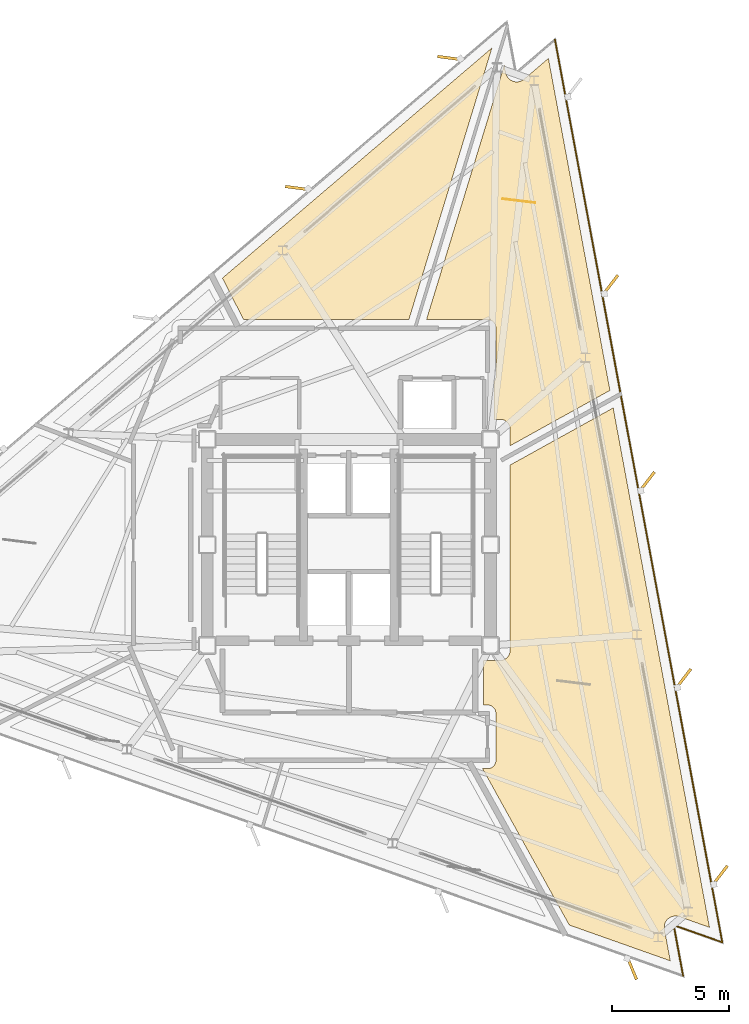
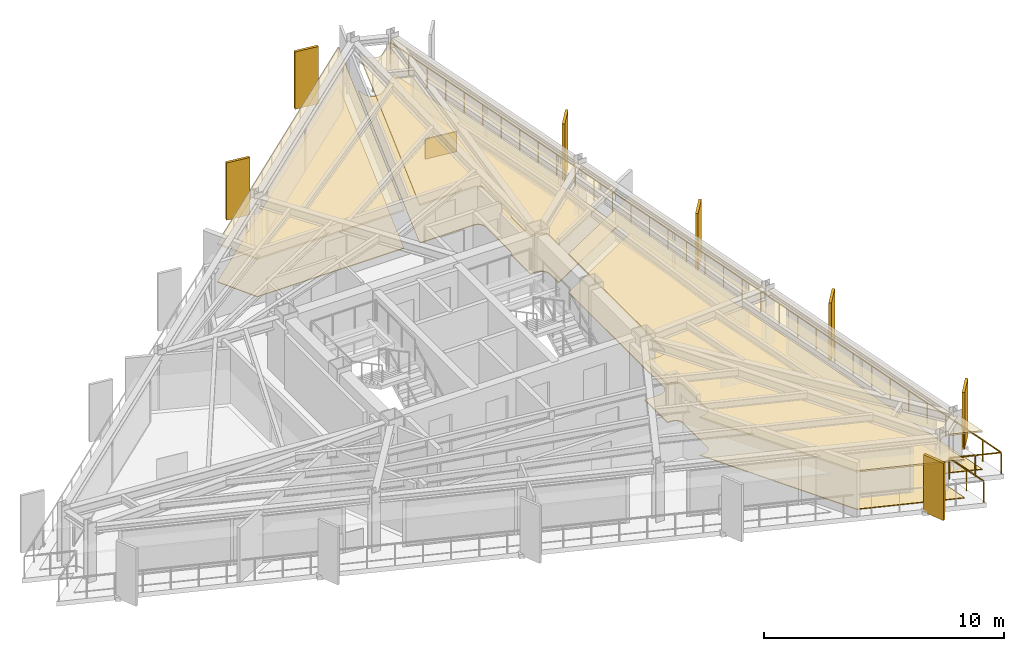
# One storey, part 13 of 14: 7 coverings, 7 shading devices, 1 railing.
"""IFC4 building model written with IfcOpenShell, lengths in metres."""

from ifc_helpers import new_model, si_unit, direction, frame, origin, origin_2d, place, context, subcontext, project, spatial, polyline, rectangle, outline, extrude, material, layer, layer_set, type_object, element, save


model = new_model("IFC4")

# Units and contexts
model_context = context("Model", 3, precision=1e-05, world=origin(), true_north=direction((0.0, 1.0)))
body_context = subcontext(model_context, "Body", "Model", "MODEL_VIEW")
ifc_project = project(units=[si_unit("LENGTHUNIT", "METRE"), si_unit("AREAUNIT", "SQUARE_METRE"), si_unit("VOLUMEUNIT", "CUBIC_METRE"), si_unit("PLANEANGLEUNIT", "RADIAN"), si_unit("MASSUNIT", "GRAM", prefix="KILO")], contexts=[model_context])

# Site, building, storey
site_placement = place(None, origin())
site = spatial("IfcSite", under=ifc_project, at=site_placement, CompositionType="ELEMENT")
building_placement = place(site_placement, origin())
building = spatial("IfcBuilding", under=site, at=building_placement, Name="Rocaltana Carrier Exchange", CompositionType="ELEMENT")
storey_placement = place(building_placement, frame((0.0, 0.0, 178.39990234375)))
storey = spatial("IfcBuildingStorey", under=building, at=storey_placement, Name="L56", CompositionType="ELEMENT", Elevation=178.39990234375)

# Coverings
ifc_material_1 = material(Name="Honed Bogota Sandstone Tile", Category="masonry")
ifc_layer_1 = layer(ifc_material_1, 0.0400390625)
ifc_layer_set_1 = layer_set([ifc_layer_1], Name="Honed Bogota Sandstone Tile")
covering_type_1 = type_object("IfcCoveringType", Name="Honed Stone Lobby Flooring 40", PredefinedType="FLOORING", material=ifc_layer_set_1)
covering_1_placement = place(storey_placement, origin())
element("IfcCovering", 1, at=covering_1_placement, inside=storey, type_object=covering_type_1, Name="L56 Cloud Architecture Office Finish Floor", PredefinedType="FLOORING", context=body_context, shape_type="SweptSolid", body=[
    extrude(outline(polyline([(5.739990234375, -6.840087890625), (5.739990234375, -4.93994140625), (6.449951171875, -4.93994140625), (6.463623046875, -4.939697265625), (6.4794921875, -4.93896484375), (6.5068359375, -4.936279296875), (6.522216796875, -4.933837890625), (6.54931640625, -4.928466796875), (6.564453125, -4.9248046875), (6.5908203125, -4.916748046875), (6.605712890625, -4.91162109375), (6.630859375, -4.90087890625), (6.64501953125, -4.894287109375), (6.66943359375, -4.88134765625), (6.682861328125, -4.873291015625), (6.705810546875, -4.85791015625), (6.71826171875, -4.8486328125), (6.739501953125, -4.8310546875), (6.751220703125, -4.820556640625), (6.7705078125, -4.80126953125), (6.781005859375, -4.78955078125), (6.798583984375, -4.768310546875), (6.807861328125, -4.755615234375), (6.8232421875, -4.73291015625), (6.831298828125, -4.719482421875), (6.84423828125, -4.695068359375), (6.850830078125, -4.680908203125), (6.861572265625, -4.655517578125), (6.86669921875, -4.640869140625), (6.874755859375, -4.614501953125), (6.87841796875, -4.59912109375), (6.8837890625, -4.572265625), (6.88623046875, -4.556884765625), (6.888916015625, -4.529296875), (6.8896484375, -4.513671875), (6.889892578125, -4.5), (6.889892578125, 3.40771484375), (11.287841796875, 5.84521484375), (15.398681640625, -16.3359375), (14.108642578125, -15.879150390625), (14.095458984375, -15.874755859375), (14.076416015625, -15.869140625), (14.04931640625, -15.8623046875), (14.02978515625, -15.858642578125), (14.001953125, -15.854736328125), (13.982177734375, -15.852783203125), (13.954345703125, -15.851806640625), (13.934326171875, -15.85205078125), (13.906494140625, -15.853515625), (13.88671875, -15.855712890625), (13.859130859375, -15.860107421875), (13.839599609375, -15.8642578125), (13.8125, -15.871337890625), (13.793701171875, -15.87744140625), (13.767333984375, -15.88720703125), (13.7490234375, -15.89501953125), (13.72412109375, -15.907470703125), (13.706787109375, -15.9169921875), (13.68310546875, -15.931884765625), (13.66650390625, -15.943359375), (13.64453125, -15.960205078125), (13.62939453125, -15.973388671875), (13.60888671875, -15.992431640625), (13.59521484375, -16.0068359375), (13.576904296875, -16.02783203125), (13.564697265625, -16.043701171875), (13.548583984375, -16.06640625), (13.537841796875, -16.083251953125), (13.524169921875, -16.107666015625), (13.51513671875, -16.12548828125), (13.50390625, -16.15087890625), (13.496826171875, -16.16943359375), (13.48828125, -16.196044921875), (13.48291015625, -16.21533203125), (13.47705078125, -16.24267578125), (13.4736328125, -16.26220703125), (13.470458984375, -16.2900390625), (13.468994140625, -16.309814453125), (13.46875, -16.337890625), (13.469482421875, -16.357666015625), (13.4716796875, -16.385498046875), (13.474365234375, -16.4052734375), (13.4765625, -16.419189453125), (13.725830078125, -17.7646484375), (9.412109375, -16.237060546875), (5.710693359375, -9.56005859375), (5.919921875, -9.56005859375), (5.93359375, -9.559814453125), (5.941650390625, -9.559326171875), (5.968994140625, -9.556640625), (5.976806640625, -9.555419921875), (6.003662109375, -9.550048828125), (6.01123046875, -9.548095703125), (6.03759765625, -9.540283203125), (6.044921875, -9.53759765625), (6.0703125, -9.527099609375), (6.077392578125, -9.523681640625), (6.101806640625, -9.5107421875), (6.1083984375, -9.506591796875), (6.131103515625, -9.491455078125), (6.137451171875, -9.48681640625), (6.15869140625, -9.46923828125), (6.16455078125, -9.464111328125), (6.18408203125, -9.444580078125), (6.189208984375, -9.438720703125), (6.206787109375, -9.41748046875), (6.21142578125, -9.4111328125), (6.226806640625, -9.388427734375), (6.230712890625, -9.381591796875), (6.24365234375, -9.357421875), (6.2470703125, -9.350341796875), (6.257568359375, -9.324951171875), (6.26025390625, -9.317626953125), (6.268310546875, -9.291259765625), (6.27001953125, -9.28369140625), (6.275390625, -9.256591796875), (6.276611328125, -9.248779296875), (6.279296875, -9.2216796875), (6.27978515625, -9.213623046875), (6.280029296875, -9.199951171875), (6.280029296875, -7.199951171875), (6.27978515625, -7.186279296875), (6.279296875, -7.178466796875), (6.276611328125, -7.151123046875), (6.275390625, -7.143310546875), (6.27001953125, -7.116455078125), (6.268310546875, -7.108642578125), (6.26025390625, -7.08251953125), (6.257568359375, -7.0751953125), (6.2470703125, -7.0498046875), (6.24365234375, -7.04248046875), (6.230712890625, -7.018310546875), (6.226806640625, -7.01171875), (6.21142578125, -6.98876953125), (6.206787109375, -6.982421875), (6.189208984375, -6.961181640625), (6.18408203125, -6.955322265625), (6.16455078125, -6.93603515625), (6.15869140625, -6.9306640625), (6.137451171875, -6.913330078125), (6.131103515625, -6.90869140625), (6.1083984375, -6.893310546875), (6.101806640625, -6.889404296875), (6.077392578125, -6.876220703125), (6.0703125, -6.873046875), (6.044921875, -6.862548828125), (6.03759765625, -6.85986328125), (6.01123046875, -6.851806640625), (6.003662109375, -6.849853515625), (5.976806640625, -6.844482421875), (5.968994140625, -6.843505859375), (5.941650390625, -6.8408203125), (5.93359375, -6.84033203125), (5.919921875, -6.840087890625), (5.739990234375, -6.840087890625)])), origin(), (0.0, 0.0, 1.0), 0.0400390625),
])
covering_2_placement = place(storey_placement, origin())
element("IfcCovering", 2, at=covering_2_placement, inside=storey, type_object=covering_type_1, Name="L56 Peering Conference Room Finish Floor", PredefinedType="FLOORING", context=body_context, shape_type="SweptSolid", body=[
    extrude(outline(polyline([(6.18994140625, 6.962158203125), (6.206787109375, 6.982421875), (6.21142578125, 6.98876953125), (6.226806640625, 7.01171875), (6.230712890625, 7.018310546875), (6.24365234375, 7.04248046875), (6.2470703125, 7.0498046875), (6.257568359375, 7.0751953125), (6.26025390625, 7.08251953125), (6.268310546875, 7.108642578125), (6.27001953125, 7.116455078125), (6.275390625, 7.143310546875), (6.276611328125, 7.151123046875), (6.279296875, 7.178466796875), (6.27978515625, 7.186279296875), (6.280029296875, 7.199951171875), (6.280029296875, 9.25), (6.27978515625, 9.263671875), (6.279296875, 9.271484375), (6.276611328125, 9.298828125), (6.275390625, 9.306640625), (6.27001953125, 9.33349609375), (6.268310546875, 9.34130859375), (6.26025390625, 9.36767578125), (6.257568359375, 9.375), (6.2470703125, 9.400390625), (6.24365234375, 9.407470703125), (6.230712890625, 9.431640625), (6.226806640625, 9.4384765625), (6.21142578125, 9.461181640625), (6.206787109375, 9.467529296875), (6.189208984375, 9.48876953125), (6.18408203125, 9.49462890625), (6.16455078125, 9.513916015625), (6.15869140625, 9.519287109375), (6.137451171875, 9.53662109375), (6.131103515625, 9.54150390625), (6.1083984375, 9.556640625), (6.101806640625, 9.560791015625), (6.077392578125, 9.57373046875), (6.0703125, 9.576904296875), (6.044921875, 9.58740234375), (6.03759765625, 9.590087890625), (6.01123046875, 9.59814453125), (6.003662109375, 9.60009765625), (5.976806640625, 9.60546875), (5.968994140625, 9.606689453125), (5.941650390625, 9.609375), (5.93359375, 9.609619140625), (5.919921875, 9.610107421875), (3.314453125, 9.610107421875), (6.6376953125, 20.479736328125), (6.697265625, 20.157958984375), (6.7001953125, 20.144287109375), (6.704833984375, 20.125), (6.712646484375, 20.09814453125), (6.718994140625, 20.079345703125), (6.7294921875, 20.053466796875), (6.73779296875, 20.035400390625), (6.7509765625, 20.010498046875), (6.760986328125, 19.993408203125), (6.7763671875, 19.97021484375), (6.7880859375, 19.9541015625), (6.8056640625, 19.932373046875), (6.819091796875, 19.91748046875), (6.838623046875, 19.897705078125), (6.853515625, 19.88427734375), (6.875, 19.866455078125), (6.89111328125, 19.8544921875), (6.914306640625, 19.839111328125), (6.931396484375, 19.828857421875), (6.955810546875, 19.815673828125), (6.973876953125, 19.80712890625), (6.999755859375, 19.796630859375), (7.0185546875, 19.789794921875), (7.04541015625, 19.781982421875), (7.064697265625, 19.777099609375), (7.092041015625, 19.77197265625), (7.11181640625, 19.76904296875), (7.1396484375, 19.7666015625), (7.159423828125, 19.765625), (7.1875, 19.76611328125), (7.207275390625, 19.76708984375), (7.235107421875, 19.770263671875), (7.2548828125, 19.773193359375), (7.281982421875, 19.779052734375), (7.301513671875, 19.7841796875), (7.327880859375, 19.79248046875), (7.3466796875, 19.799560546875), (7.372314453125, 19.810791015625), (7.39013671875, 19.819580078125), (7.41455078125, 19.8330078125), (7.431396484375, 19.843505859375), (7.454345703125, 19.859619140625), (7.47021484375, 19.87158203125), (7.48095703125, 19.880615234375), (8.521728515625, 20.769287109375), (11.1494140625, 6.591796875), (6.889892578125, 4.230712890625), (6.889892578125, 4.919921875), (6.8896484375, 4.93359375), (6.888916015625, 4.949462890625), (6.88623046875, 4.976806640625), (6.8837890625, 4.9921875), (6.87841796875, 5.019287109375), (6.874755859375, 5.034423828125), (6.86669921875, 5.060791015625), (6.861572265625, 5.07568359375), (6.850830078125, 5.100830078125), (6.84423828125, 5.114990234375), (6.831298828125, 5.139404296875), (6.8232421875, 5.15283203125), (6.807861328125, 5.17578125), (6.798583984375, 5.188232421875), (6.781005859375, 5.20947265625), (6.7705078125, 5.22119140625), (6.751220703125, 5.240478515625), (6.739501953125, 5.251220703125), (6.71826171875, 5.2685546875), (6.705810546875, 5.27783203125), (6.682861328125, 5.293212890625), (6.66943359375, 5.30126953125), (6.64501953125, 5.314208984375), (6.630859375, 5.32080078125), (6.605712890625, 5.33154296875), (6.5908203125, 5.336669921875), (6.564453125, 5.3447265625), (6.54931640625, 5.348388671875), (6.522216796875, 5.35400390625), (6.5068359375, 5.356201171875), (6.4794921875, 5.35888671875), (6.463623046875, 5.359619140625), (6.449951171875, 5.360107421875), (6.18994140625, 5.360107421875), (6.18994140625, 6.962158203125)])), origin(), (0.0, 0.0, 1.0), 0.0400390625),
])
covering_3_placement = place(storey_placement, origin())
element("IfcCovering", 3, at=covering_3_placement, inside=storey, type_object=covering_type_1, Name="L56 Optical Switching Laboratory Finish Floor", PredefinedType="FLOORING", context=body_context, shape_type="SweptSolid", body=[
    extrude(outline(polyline([(6.109619140625, 21.214599609375), (2.5615234375, 9.610107421875), (-4.492431640625, 9.610107421875), (-5.397705078125, 11.38671875), (6.109619140625, 21.214599609375)])), origin(), (0.0, 0.0, 1.0), 0.0400390625),
])
ifc_material_2 = material(Name="Anodised Aluminium 6063-T6", Category="aluminium")
ifc_layer_2 = layer(ifc_material_2, 0.0849609375)
ifc_layer_set_2 = layer_set([ifc_layer_2], Name="Anodised Aluminium 6063-T6")
covering_type_2 = type_object("IfcCoveringType", Name="Linear Baffle Acoustic Ceiling 85", PredefinedType="CEILING", material=ifc_layer_set_2)
covering_4_placement = place(storey_placement, frame((0.0, 0.0, 1.903076171875)))
element("IfcCovering", 4, at=covering_4_placement, inside=storey, type_object=covering_type_2, Name="L56 Cloud Architecture Office Acoustic Ceiling", PredefinedType="CEILING", context=body_context, shape_type="SweptSolid", body=[
    extrude(outline(polyline([(5.739990234375, -6.840087890625), (5.739990234375, -4.93994140625), (6.449951171875, -4.93994140625), (6.463623046875, -4.939697265625), (6.4794921875, -4.93896484375), (6.5068359375, -4.936279296875), (6.522216796875, -4.933837890625), (6.54931640625, -4.928466796875), (6.564453125, -4.9248046875), (6.5908203125, -4.916748046875), (6.605712890625, -4.91162109375), (6.630859375, -4.90087890625), (6.64501953125, -4.894287109375), (6.66943359375, -4.88134765625), (6.682861328125, -4.873291015625), (6.705810546875, -4.85791015625), (6.71826171875, -4.8486328125), (6.739501953125, -4.8310546875), (6.751220703125, -4.820556640625), (6.7705078125, -4.80126953125), (6.781005859375, -4.78955078125), (6.798583984375, -4.768310546875), (6.807861328125, -4.755615234375), (6.8232421875, -4.73291015625), (6.831298828125, -4.719482421875), (6.84423828125, -4.695068359375), (6.850830078125, -4.680908203125), (6.861572265625, -4.655517578125), (6.86669921875, -4.640869140625), (6.874755859375, -4.614501953125), (6.87841796875, -4.59912109375), (6.8837890625, -4.572265625), (6.88623046875, -4.556884765625), (6.888916015625, -4.529296875), (6.8896484375, -4.513671875), (6.889892578125, -4.5), (6.889892578125, 3.40771484375), (11.287841796875, 5.84521484375), (15.398681640625, -16.3359375), (14.108642578125, -15.879150390625), (14.095458984375, -15.874755859375), (14.076416015625, -15.869140625), (14.04931640625, -15.8623046875), (14.02978515625, -15.858642578125), (14.001953125, -15.854736328125), (13.982177734375, -15.852783203125), (13.954345703125, -15.851806640625), (13.934326171875, -15.85205078125), (13.906494140625, -15.853515625), (13.88671875, -15.855712890625), (13.859130859375, -15.860107421875), (13.839599609375, -15.8642578125), (13.8125, -15.871337890625), (13.793701171875, -15.87744140625), (13.767333984375, -15.88720703125), (13.7490234375, -15.89501953125), (13.72412109375, -15.907470703125), (13.706787109375, -15.9169921875), (13.68310546875, -15.931884765625), (13.66650390625, -15.943359375), (13.64453125, -15.960205078125), (13.62939453125, -15.973388671875), (13.60888671875, -15.992431640625), (13.59521484375, -16.0068359375), (13.576904296875, -16.02783203125), (13.564697265625, -16.043701171875), (13.548583984375, -16.06640625), (13.537841796875, -16.083251953125), (13.524169921875, -16.107666015625), (13.51513671875, -16.12548828125), (13.50390625, -16.15087890625), (13.496826171875, -16.16943359375), (13.48828125, -16.196044921875), (13.48291015625, -16.21533203125), (13.47705078125, -16.24267578125), (13.4736328125, -16.26220703125), (13.470458984375, -16.2900390625), (13.468994140625, -16.309814453125), (13.46875, -16.337890625), (13.469482421875, -16.357666015625), (13.4716796875, -16.385498046875), (13.474365234375, -16.4052734375), (13.4765625, -16.419189453125), (13.725830078125, -17.7646484375), (9.412109375, -16.237060546875), (5.710693359375, -9.56005859375), (5.919921875, -9.56005859375), (5.93359375, -9.559814453125), (5.941650390625, -9.559326171875), (5.968994140625, -9.556640625), (5.976806640625, -9.555419921875), (6.003662109375, -9.550048828125), (6.01123046875, -9.548095703125), (6.03759765625, -9.540283203125), (6.044921875, -9.53759765625), (6.0703125, -9.527099609375), (6.077392578125, -9.523681640625), (6.101806640625, -9.5107421875), (6.1083984375, -9.506591796875), (6.131103515625, -9.491455078125), (6.137451171875, -9.48681640625), (6.15869140625, -9.46923828125), (6.16455078125, -9.464111328125), (6.18408203125, -9.444580078125), (6.189208984375, -9.438720703125), (6.206787109375, -9.41748046875), (6.21142578125, -9.4111328125), (6.226806640625, -9.388427734375), (6.230712890625, -9.381591796875), (6.24365234375, -9.357421875), (6.2470703125, -9.350341796875), (6.257568359375, -9.324951171875), (6.26025390625, -9.317626953125), (6.268310546875, -9.291259765625), (6.27001953125, -9.28369140625), (6.275390625, -9.256591796875), (6.276611328125, -9.248779296875), (6.279296875, -9.2216796875), (6.27978515625, -9.213623046875), (6.280029296875, -9.199951171875), (6.280029296875, -7.199951171875), (6.27978515625, -7.186279296875), (6.279296875, -7.178466796875), (6.276611328125, -7.151123046875), (6.275390625, -7.143310546875), (6.27001953125, -7.116455078125), (6.268310546875, -7.108642578125), (6.26025390625, -7.08251953125), (6.257568359375, -7.0751953125), (6.2470703125, -7.0498046875), (6.24365234375, -7.04248046875), (6.230712890625, -7.018310546875), (6.226806640625, -7.01171875), (6.21142578125, -6.98876953125), (6.206787109375, -6.982421875), (6.189208984375, -6.961181640625), (6.18408203125, -6.955322265625), (6.16455078125, -6.93603515625), (6.15869140625, -6.9306640625), (6.137451171875, -6.913330078125), (6.131103515625, -6.90869140625), (6.1083984375, -6.893310546875), (6.101806640625, -6.889404296875), (6.077392578125, -6.876220703125), (6.0703125, -6.873046875), (6.044921875, -6.862548828125), (6.03759765625, -6.85986328125), (6.01123046875, -6.851806640625), (6.003662109375, -6.849853515625), (5.976806640625, -6.844482421875), (5.968994140625, -6.843505859375), (5.941650390625, -6.8408203125), (5.93359375, -6.84033203125), (5.919921875, -6.840087890625), (5.739990234375, -6.840087890625)])), origin(), (0.0, 0.0, 1.0), 0.0849609375),
])
covering_5_placement = place(storey_placement, frame((0.0, 0.0, 1.903076171875)))
element("IfcCovering", 5, at=covering_5_placement, inside=storey, type_object=covering_type_2, Name="L56 Peering Conference Room Acoustic Ceiling", PredefinedType="CEILING", context=body_context, shape_type="SweptSolid", body=[
    extrude(outline(polyline([(6.18994140625, 6.962158203125), (6.206787109375, 6.982421875), (6.21142578125, 6.98876953125), (6.226806640625, 7.01171875), (6.230712890625, 7.018310546875), (6.24365234375, 7.04248046875), (6.2470703125, 7.0498046875), (6.257568359375, 7.0751953125), (6.26025390625, 7.08251953125), (6.268310546875, 7.108642578125), (6.27001953125, 7.116455078125), (6.275390625, 7.143310546875), (6.276611328125, 7.151123046875), (6.279296875, 7.178466796875), (6.27978515625, 7.186279296875), (6.280029296875, 7.199951171875), (6.280029296875, 9.25), (6.27978515625, 9.263671875), (6.279296875, 9.271484375), (6.276611328125, 9.298828125), (6.275390625, 9.306640625), (6.27001953125, 9.33349609375), (6.268310546875, 9.34130859375), (6.26025390625, 9.36767578125), (6.257568359375, 9.375), (6.2470703125, 9.400390625), (6.24365234375, 9.407470703125), (6.230712890625, 9.431640625), (6.226806640625, 9.4384765625), (6.21142578125, 9.461181640625), (6.206787109375, 9.467529296875), (6.189208984375, 9.48876953125), (6.18408203125, 9.49462890625), (6.16455078125, 9.513916015625), (6.15869140625, 9.519287109375), (6.137451171875, 9.53662109375), (6.131103515625, 9.54150390625), (6.1083984375, 9.556640625), (6.101806640625, 9.560791015625), (6.077392578125, 9.57373046875), (6.0703125, 9.576904296875), (6.044921875, 9.58740234375), (6.03759765625, 9.590087890625), (6.01123046875, 9.59814453125), (6.003662109375, 9.60009765625), (5.976806640625, 9.60546875), (5.968994140625, 9.606689453125), (5.941650390625, 9.609375), (5.93359375, 9.609619140625), (5.919921875, 9.610107421875), (3.314453125, 9.610107421875), (6.6376953125, 20.479736328125), (6.697265625, 20.157958984375), (6.7001953125, 20.144287109375), (6.704833984375, 20.125), (6.712646484375, 20.09814453125), (6.718994140625, 20.079345703125), (6.7294921875, 20.053466796875), (6.73779296875, 20.035400390625), (6.7509765625, 20.010498046875), (6.760986328125, 19.993408203125), (6.7763671875, 19.97021484375), (6.7880859375, 19.9541015625), (6.8056640625, 19.932373046875), (6.819091796875, 19.91748046875), (6.838623046875, 19.897705078125), (6.853515625, 19.88427734375), (6.875, 19.866455078125), (6.89111328125, 19.8544921875), (6.914306640625, 19.839111328125), (6.931396484375, 19.828857421875), (6.955810546875, 19.815673828125), (6.973876953125, 19.80712890625), (6.999755859375, 19.796630859375), (7.0185546875, 19.789794921875), (7.04541015625, 19.781982421875), (7.064697265625, 19.777099609375), (7.092041015625, 19.77197265625), (7.11181640625, 19.76904296875), (7.1396484375, 19.7666015625), (7.159423828125, 19.765625), (7.1875, 19.76611328125), (7.207275390625, 19.76708984375), (7.235107421875, 19.770263671875), (7.2548828125, 19.773193359375), (7.281982421875, 19.779052734375), (7.301513671875, 19.7841796875), (7.327880859375, 19.79248046875), (7.3466796875, 19.799560546875), (7.372314453125, 19.810791015625), (7.39013671875, 19.819580078125), (7.41455078125, 19.8330078125), (7.431396484375, 19.843505859375), (7.454345703125, 19.859619140625), (7.47021484375, 19.87158203125), (7.48095703125, 19.880615234375), (8.521728515625, 20.769287109375), (11.1494140625, 6.591796875), (6.889892578125, 4.230712890625), (6.889892578125, 4.919921875), (6.8896484375, 4.93359375), (6.888916015625, 4.949462890625), (6.88623046875, 4.976806640625), (6.8837890625, 4.9921875), (6.87841796875, 5.019287109375), (6.874755859375, 5.034423828125), (6.86669921875, 5.060791015625), (6.861572265625, 5.07568359375), (6.850830078125, 5.100830078125), (6.84423828125, 5.114990234375), (6.831298828125, 5.139404296875), (6.8232421875, 5.15283203125), (6.807861328125, 5.17578125), (6.798583984375, 5.188232421875), (6.781005859375, 5.20947265625), (6.7705078125, 5.22119140625), (6.751220703125, 5.240478515625), (6.739501953125, 5.251220703125), (6.71826171875, 5.2685546875), (6.705810546875, 5.27783203125), (6.682861328125, 5.293212890625), (6.66943359375, 5.30126953125), (6.64501953125, 5.314208984375), (6.630859375, 5.32080078125), (6.605712890625, 5.33154296875), (6.5908203125, 5.336669921875), (6.564453125, 5.3447265625), (6.54931640625, 5.348388671875), (6.522216796875, 5.35400390625), (6.5068359375, 5.356201171875), (6.4794921875, 5.35888671875), (6.463623046875, 5.359619140625), (6.449951171875, 5.360107421875), (6.18994140625, 5.360107421875), (6.18994140625, 6.962158203125)])), origin(), (0.0, 0.0, 1.0), 0.0849609375),
])
covering_6_placement = place(storey_placement, frame((0.0, 0.0, 1.903076171875)))
element("IfcCovering", 6, at=covering_6_placement, inside=storey, type_object=covering_type_2, Name="L56 Optical Switching Laboratory Acoustic Ceiling", PredefinedType="CEILING", context=body_context, shape_type="SweptSolid", body=[
    extrude(outline(polyline([(6.109619140625, 21.214599609375), (2.5615234375, 9.610107421875), (-4.492431640625, 9.610107421875), (-5.397705078125, 11.38671875), (6.109619140625, 21.214599609375)])), origin(), (0.0, 0.0, 1.0), 0.0849609375),
])
ifc_material_3 = material(Name="Honed Piedra Muneca Sandstone", Category="masonry")
ifc_layer_3 = layer(ifc_material_3, 0.034912109375)
ifc_layer_set_3 = layer_set([ifc_layer_3], Name="Honed Piedra Muneca Sandstone")
covering_type_3 = type_object("IfcCoveringType", Name="Stone Facade Cladding 35", PredefinedType="CLADDING", material=ifc_layer_set_3)
covering_7_placement = place(storey_placement, frame((7.2578125, 14.68798828125, 0.0), z_axis=(0.0, 0.0, 1.0), x_axis=(-0.992546151641, 0.121869343405, 0.0)))
element("IfcCovering", 7, at=covering_7_placement, inside=storey, type_object=covering_type_3, Name="L56 Stone Facade Cladding Panel 5", PredefinedType="CLADDING", context=body_context, shape_type="SweptSolid", body=[
    extrude(rectangle(XDim=1.39990234375, YDim=0.034912109375, at=origin_2d()), origin(), (0.0, 0.0, 1.0), 1.050048828125),
])

# Shading devices
ifc_material_4 = material(Name="Honed Bogota Sandstone & Concrete C45/55", Category="masonry")
ifc_layer_4 = layer(ifc_material_4, 0.1201171875)
ifc_layer_set_4 = layer_set([ifc_layer_4], Name="Honed Bogota Sandstone & Concrete C45/55")
shading_device_type = type_object("IfcShadingDeviceType", Name="Upper Sandstone Shading Fin 1050x120", PredefinedType="USERDEFINED", material=ifc_layer_set_4)
for number, where, z_axis, x_axis, name in (
    (8, (15.84375, -14.124755859375, -0.119873046875), (0.0, 0.0, 1.0), (0.608761429009, 0.793353340291, 0.0), "L56 Sandstone Vertical Fin F1-01"),
    (9, (14.28564453125, -5.718017578125, -0.119873046875), (0.0, 0.0, 1.0), (0.608761429009, 0.793353340291, 0.0), "L56 Sandstone Vertical Fin F1-02"),
    (10, (12.7275390625, 2.68896484375, -0.119873046875), (0.0, 0.0, 1.0), (0.608761429009, 0.793353340291, 0.0), "L56 Sandstone Vertical Fin F1-03"),
    (11, (11.16943359375, 11.095703125, -0.119873046875), (0.0, 0.0, 1.0), (0.608761429009, 0.793353340291, 0.0), "L56 Sandstone Vertical Fin F1-04"),
    (12, (4.310546875, 20.783447265625, -0.119873046875), (0.0, 0.0, 1.0), (-0.991444861374, 0.13052619222, 0.0), "L56 Sandstone Vertical Fin F2-01"),
    (13, (-2.19091796875, 15.230712890625, -0.119873046875), (0.0, 0.0, 1.0), (-0.991444861374, 0.13052619222, 0.0), "L56 Sandstone Vertical Fin F2-02"),
    (14, (12.083984375, -18.074951171875, -0.119873046875), (0.0, 0.0, 1.0), (0.382683432365, -0.923879532511, 0.0), "L56 Sandstone Vertical Fin F3-05"),
):
    element("IfcShadingDevice", number, at=place(storey_placement, frame(where, z_axis=z_axis, x_axis=x_axis)), inside=storey, type_object=shading_device_type, Name=name, ObjectType="FIN", PredefinedType="USERDEFINED", context=body_context, shape_type="SweptSolid", body=[
        extrude(rectangle(XDim=1.050048828125, YDim=0.1201171875, at=origin_2d()), origin(), (0.0, 0.0, 1.0), 2.91796875),
    ])

# Railing
ifc_material_5 = material(Name="Powder-Coated Aluminium 6063-T6", Category="aluminium")
ifc_layer_5 = layer(ifc_material_5, 0.06005859375)
ifc_layer_set_5 = layer_set([ifc_layer_5], Name="Powder-Coated Aluminium 6063-T6")
railing_type = type_object("IfcRailingType", Name="Wind-Floor & Terrace Perimeter Guardrail 1100", PredefinedType="GUARDRAIL", material=ifc_layer_set_5)
railing_placement = place(storey_placement, frame((8.802001953125, 21.561279296875, 0.0)))
element("IfcRailing", 15, at=railing_placement, inside=storey, type_object=railing_type, Name="L56 Perimeter Balcony Guardrail 3", PredefinedType="GUARDRAIL", context=body_context, shape_type="SweptSolid", body=[
    extrude(rectangle(XDim=0.048095703125, YDim=0.048095703125, at=origin_2d()), frame((0.0, 0.0, 1.076171875), z_axis=(0.182238712152, -0.983254316946, 0.0), x_axis=(0.983254316946, 0.182238712152, 0.0)), (0.0, 0.0, 1.0), 39.192138671875),
    extrude(rectangle(XDim=0.048095703125, YDim=0.048095703125, at=origin_2d()), frame((7.142333984375, -38.535888671875, 1.076171875), z_axis=(-0.942672327986, 0.333719765747, 0.0), x_axis=(-0.333719765747, -0.942672327986, 0.0)), (0.0, 0.0, 1.0), 2.199951171875),
    extrude(rectangle(XDim=0.048095703125, YDim=0.048095703125, at=origin_2d()), frame((5.068603515625, -37.8017578125, 1.076171875), z_axis=(0.1822243738, -0.983256974342, 0.0), x_axis=(0.983256974342, 0.1822243738, 0.0)), (0.0, 0.0, 1.0), 2.199951171875),
    extrude(rectangle(XDim=0.0419921875, YDim=0.0419921875, at=origin_2d()), origin(), (0.0, 0.0, 1.0), 1.052001953125),
    extrude(rectangle(XDim=0.0419921875, YDim=0.0419921875, at=origin_2d()), frame((0.216552734375, -1.167724609375, 0.0)), (0.0, 0.0, 1.0), 1.052001953125),
    extrude(rectangle(XDim=0.0419921875, YDim=0.0419921875, at=origin_2d()), frame((0.432861328125, -2.33544921875, 0.0)), (0.0, 0.0, 1.0), 1.052001953125),
    extrude(rectangle(XDim=0.0419921875, YDim=0.0419921875, at=origin_2d()), frame((0.6494140625, -3.503173828125, 0.0)), (0.0, 0.0, 1.0), 1.052001953125),
    extrude(rectangle(XDim=0.0419921875, YDim=0.0419921875, at=origin_2d()), frame((0.86572265625, -4.6708984375, 0.0)), (0.0, 0.0, 1.0), 1.052001953125),
    extrude(rectangle(XDim=0.0419921875, YDim=0.0419921875, at=origin_2d()), frame((1.082275390625, -5.8388671875, 0.0)), (0.0, 0.0, 1.0), 1.052001953125),
    extrude(rectangle(XDim=0.0419921875, YDim=0.0419921875, at=origin_2d()), frame((1.298583984375, -7.006591796875, 0.0)), (0.0, 0.0, 1.0), 1.052001953125),
    extrude(rectangle(XDim=0.0419921875, YDim=0.0419921875, at=origin_2d()), frame((1.51513671875, -8.17431640625, 0.0)), (0.0, 0.0, 1.0), 1.052001953125),
    extrude(rectangle(XDim=0.0419921875, YDim=0.0419921875, at=origin_2d()), frame((1.7314453125, -9.342041015625, 0.0)), (0.0, 0.0, 1.0), 1.052001953125),
    extrude(rectangle(XDim=0.0419921875, YDim=0.0419921875, at=origin_2d()), frame((1.947998046875, -10.509765625, 0.0)), (0.0, 0.0, 1.0), 1.052001953125),
    extrude(rectangle(XDim=0.0419921875, YDim=0.0419921875, at=origin_2d()), frame((2.164306640625, -11.677490234375, 0.0)), (0.0, 0.0, 1.0), 1.052001953125),
    extrude(rectangle(XDim=0.0419921875, YDim=0.0419921875, at=origin_2d()), frame((2.380859375, -12.84521484375, 0.0)), (0.0, 0.0, 1.0), 1.052001953125),
    extrude(rectangle(XDim=0.0419921875, YDim=0.0419921875, at=origin_2d()), frame((2.59716796875, -14.012939453125, 0.0)), (0.0, 0.0, 1.0), 1.052001953125),
    extrude(rectangle(XDim=0.0419921875, YDim=0.0419921875, at=origin_2d()), frame((2.813720703125, -15.180908203125, 0.0)), (0.0, 0.0, 1.0), 1.052001953125),
    extrude(rectangle(XDim=0.0419921875, YDim=0.0419921875, at=origin_2d()), frame((3.030029296875, -16.3486328125, 0.0)), (0.0, 0.0, 1.0), 1.052001953125),
    extrude(rectangle(XDim=0.0419921875, YDim=0.0419921875, at=origin_2d()), frame((3.24658203125, -17.516357421875, 0.0)), (0.0, 0.0, 1.0), 1.052001953125),
    extrude(rectangle(XDim=0.0419921875, YDim=0.0419921875, at=origin_2d()), frame((3.462890625, -18.68408203125, 0.0)), (0.0, 0.0, 1.0), 1.052001953125),
    extrude(rectangle(XDim=0.0419921875, YDim=0.0419921875, at=origin_2d()), frame((3.679443359375, -19.851806640625, 0.0)), (0.0, 0.0, 1.0), 1.052001953125),
    extrude(rectangle(XDim=0.0419921875, YDim=0.0419921875, at=origin_2d()), frame((3.895751953125, -21.01953125, 0.0)), (0.0, 0.0, 1.0), 1.052001953125),
    extrude(rectangle(XDim=0.0419921875, YDim=0.0419921875, at=origin_2d()), frame((4.1123046875, -22.187255859375, 0.0)), (0.0, 0.0, 1.0), 1.052001953125),
    extrude(rectangle(XDim=0.0419921875, YDim=0.0419921875, at=origin_2d()), frame((4.32861328125, -23.35498046875, 0.0)), (0.0, 0.0, 1.0), 1.052001953125),
    extrude(rectangle(XDim=0.0419921875, YDim=0.0419921875, at=origin_2d()), frame((4.545166015625, -24.52294921875, 0.0)), (0.0, 0.0, 1.0), 1.052001953125),
    extrude(rectangle(XDim=0.0419921875, YDim=0.0419921875, at=origin_2d()), frame((4.761474609375, -25.690673828125, 0.0)), (0.0, 0.0, 1.0), 1.052001953125),
    extrude(rectangle(XDim=0.0419921875, YDim=0.0419921875, at=origin_2d()), frame((4.97802734375, -26.8583984375, 0.0)), (0.0, 0.0, 1.0), 1.052001953125),
    extrude(rectangle(XDim=0.0419921875, YDim=0.0419921875, at=origin_2d()), frame((5.1943359375, -28.026123046875, 0.0)), (0.0, 0.0, 1.0), 1.052001953125),
    extrude(rectangle(XDim=0.0419921875, YDim=0.0419921875, at=origin_2d()), frame((5.410888671875, -29.19384765625, 0.0)), (0.0, 0.0, 1.0), 1.052001953125),
    extrude(rectangle(XDim=0.0419921875, YDim=0.0419921875, at=origin_2d()), frame((5.627197265625, -30.361572265625, 0.0)), (0.0, 0.0, 1.0), 1.052001953125),
    extrude(rectangle(XDim=0.0419921875, YDim=0.0419921875, at=origin_2d()), frame((5.84375, -31.529296875, 0.0)), (0.0, 0.0, 1.0), 1.052001953125),
    extrude(rectangle(XDim=0.0419921875, YDim=0.0419921875, at=origin_2d()), frame((6.06005859375, -32.697021484375, 0.0)), (0.0, 0.0, 1.0), 1.052001953125),
    extrude(rectangle(XDim=0.0419921875, YDim=0.0419921875, at=origin_2d()), frame((6.276611328125, -33.864990234375, 0.0)), (0.0, 0.0, 1.0), 1.052001953125),
    extrude(rectangle(XDim=0.0419921875, YDim=0.0419921875, at=origin_2d()), frame((6.492919921875, -35.03271484375, 0.0)), (0.0, 0.0, 1.0), 1.052001953125),
    extrude(rectangle(XDim=0.0419921875, YDim=0.0419921875, at=origin_2d()), frame((6.70947265625, -36.200439453125, 0.0)), (0.0, 0.0, 1.0), 1.052001953125),
    extrude(rectangle(XDim=0.0419921875, YDim=0.0419921875, at=origin_2d()), frame((6.92578125, -37.3681640625, 0.0)), (0.0, 0.0, 1.0), 1.052001953125),
    extrude(rectangle(XDim=0.0419921875, YDim=0.0419921875, at=origin_2d()), frame((7.142333984375, -38.535888671875, 0.0)), (0.0, 0.0, 1.0), 1.052001953125),
    extrude(rectangle(XDim=0.0419921875, YDim=0.0419921875, at=origin_2d()), frame((6.10546875, -38.1689453125, 0.0)), (0.0, 0.0, 1.0), 1.052001953125),
    extrude(rectangle(XDim=0.0419921875, YDim=0.0419921875, at=origin_2d()), frame((5.068603515625, -37.8017578125, 0.0)), (0.0, 0.0, 1.0), 1.052001953125),
    extrude(rectangle(XDim=0.0419921875, YDim=0.0419921875, at=origin_2d()), frame((5.26904296875, -38.88330078125, 0.0)), (0.0, 0.0, 1.0), 1.052001953125),
    extrude(rectangle(XDim=0.0419921875, YDim=0.0419921875, at=origin_2d()), frame((5.469482421875, -39.96484375, 0.0)), (0.0, 0.0, 1.0), 1.052001953125),
])

save(model, "model.ifc")
